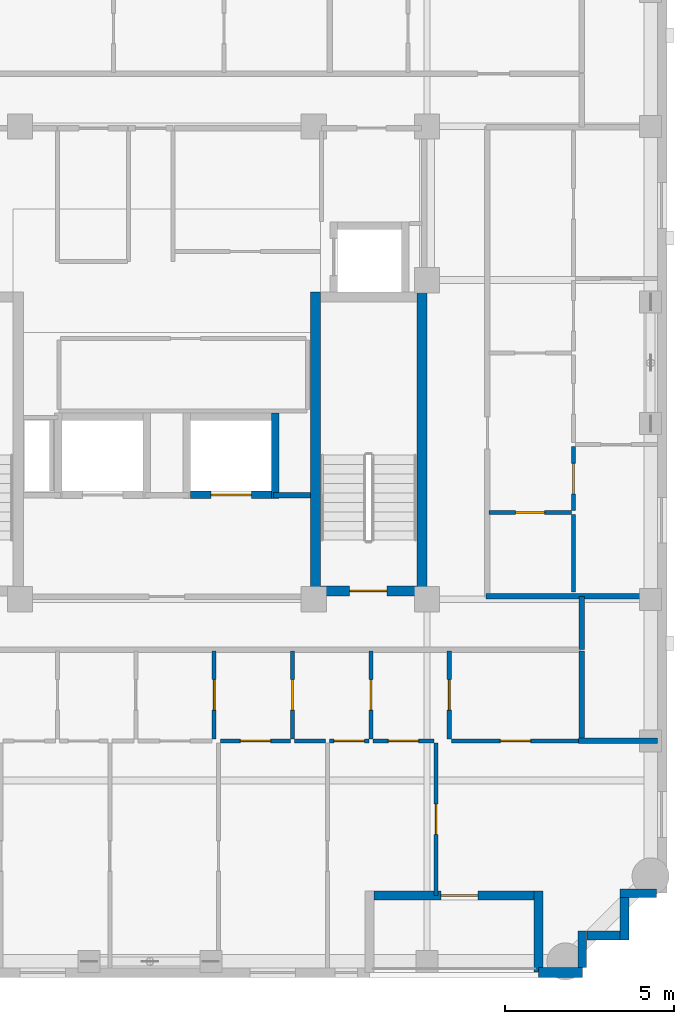
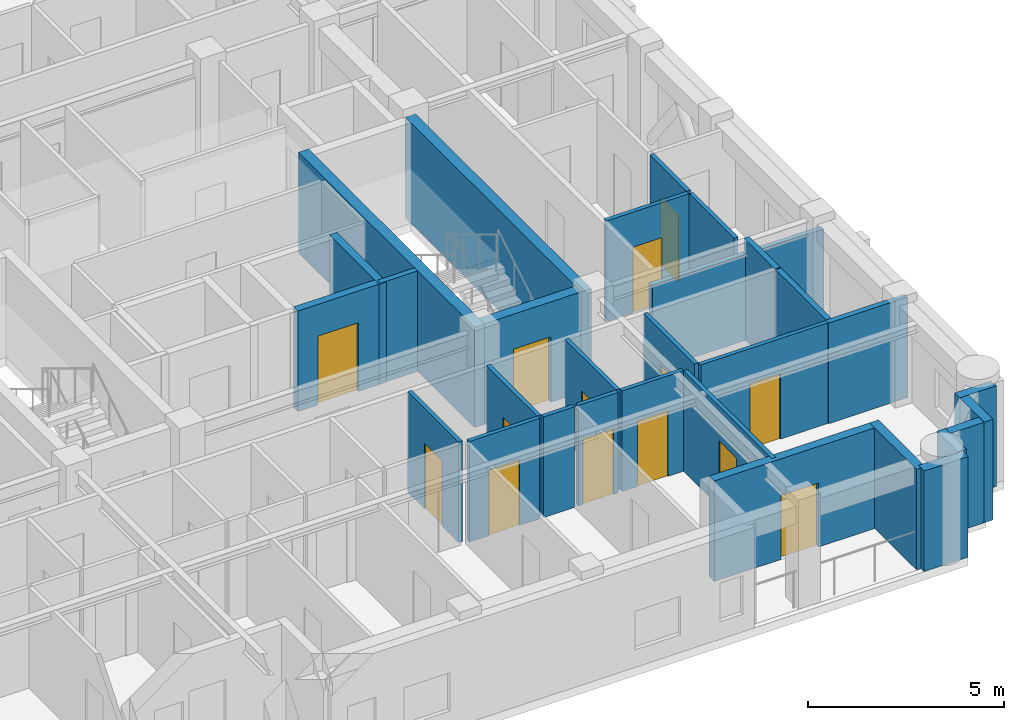
# One storey, part 4 of 11: 30 walls, 14 doors, 14 openings.
"""IFC4 building model written with IfcOpenShell, lengths in metres."""

import ifcopenshell
import ifcopenshell.guid

model = None  # the IFC model being written
_history = None  # IfcOwnerHistory: only IFC2X3 demands one
_inside = {}  # id of a spatial element -> (the spatial element, [elements in it])
_under = {}  # id of a project, library or spatial element -> (it, [spatial elements below it])
_declared = {}  # id of a project -> (the project, [libraries it declares])
_typed = {}  # id of a type object -> (the type object, [elements of that type])
_made_of = {}  # id of a material, layer set ... -> (it, [elements and type objects made of it])


def new_model(schema):
    """Start an empty IFC model of exactly this schema.

    Asked for "IFC4X3", IfcOpenShell would pick the latest addendum, in which some entities
    have other attributes; the version numbers below select the first issue.
    IFC2X3 requires an IfcOwnerHistory on every rooted entity: one is made here for all.
    """
    global model, _history
    if schema == "IFC4X3":
        model = ifcopenshell.file(schema_version=(4, 3, 0, 0))
    else:
        model = ifcopenshell.file(schema=schema)
    _inside.clear()
    _under.clear()
    _declared.clear()
    _typed.clear()
    _made_of.clear()
    _history = None
    if model.schema == "IFC2X3":
        org = make("IfcOrganization", Name="unknown")
        user = make(
            "IfcPersonAndOrganization",
            ThePerson=make("IfcPerson", FamilyName="unknown"),
            TheOrganization=org,
        )
        app = make(
            "IfcApplication",
            ApplicationDeveloper=org,
            Version="unknown",
            ApplicationFullName="unknown",
            ApplicationIdentifier="unknown",
        )
        _history = make(
            "IfcOwnerHistory",
            OwningUser=user,
            OwningApplication=app,
            ChangeAction="ADDED",
            CreationDate=0,
        )
    return model


def make(cls, **values):
    """One entity of the class cls with the attributes given. An attribute that is None is left unset."""
    return model.create_entity(
        cls, **{name: value for name, value in values.items() if value is not None}
    )


def rooted(cls, **values):
    """An entity with a GlobalId (a new one), such as an element, a storey or a relation."""
    return make(cls, GlobalId=ifcopenshell.guid.new(), OwnerHistory=_history, **values)


def si_unit(unit_type, name, prefix=None):
    """IfcSIUnit, for example si_unit("LENGTHUNIT", "METRE", prefix="MILLI")."""
    return make("IfcSIUnit", UnitType=unit_type, Prefix=prefix, Name=name)


def derived_unit(unit_type, elements):
    """IfcDerivedUnit: a product of units, each with its exponent."""
    return make(
        "IfcDerivedUnit",
        Elements=[
            make("IfcDerivedUnitElement", Unit=unit, Exponent=power)
            for unit, power in elements
        ],
        UnitType=unit_type,
    )


def assignment(units):
    """IfcUnitAssignment: the units of a project."""
    return None if units is None else make("IfcUnitAssignment", Units=units)


def point(xyz):
    """IfcCartesianPoint."""
    return None if xyz is None else make("IfcCartesianPoint", Coordinates=xyz)


def direction(xyz):
    """IfcDirection."""
    return None if xyz is None else make("IfcDirection", DirectionRatios=xyz)


def frame(location, z_axis=None, x_axis=None):
    """IfcAxis2Placement3D, a coordinate frame: its origin and axes. An axis left out is left unset."""
    return make(
        "IfcAxis2Placement3D",
        Location=point(location),
        Axis=direction(z_axis),
        RefDirection=direction(x_axis),
    )


def frame_2d(location, x_axis=None):
    """IfcAxis2Placement2D, a coordinate frame in the plane: its origin and x axis."""
    return make(
        "IfcAxis2Placement2D", Location=point(location), RefDirection=direction(x_axis)
    )


def origin():
    """The frame at (0, 0, 0) with its axes left unset."""
    return frame((0.0, 0.0, 0.0))


def place(relative_to, where):
    """IfcLocalPlacement: puts the frame where relative to a parent placement (None: the world)."""
    return make(
        "IfcLocalPlacement", PlacementRelTo=relative_to, RelativePlacement=where
    )


def context(
    kind, dimensions, precision=None, world=None, true_north=None, identifier=None
):
    """IfcGeometricRepresentationContext, for example the 3D "Model" context."""
    return make(
        "IfcGeometricRepresentationContext",
        ContextIdentifier=identifier,
        ContextType=kind,
        CoordinateSpaceDimension=dimensions,
        Precision=precision,
        WorldCoordinateSystem=world,
        TrueNorth=true_north,
    )


def subcontext(parent, identifier, kind, view, scale=None):
    """IfcGeometricRepresentationSubContext, for example "Body" below "Model"."""
    return make(
        "IfcGeometricRepresentationSubContext",
        ContextIdentifier=identifier,
        ContextType=kind,
        ParentContext=parent,
        TargetScale=scale,
        TargetView=view,
    )


def project(units=None, contexts=None):
    """IfcProject with its units and contexts."""
    return rooted(
        "IfcProject",
        Name="project",
        RepresentationContexts=contexts,
        UnitsInContext=assignment(units),
    )


def spatial(cls, under=None, at=None, **own):
    """A site, building, storey or space (cls), placed at a placement, below another one or the project."""
    s = rooted(cls, ObjectPlacement=at, **own)
    if under is not None:
        _under.setdefault(under.id(), (under, []))[1].append(s)
    return s


def profile(cls, at=None, kind="AREA", **sizes):
    """A parametric profile (cls). Its sizes go by their IFC names, for example OverallWidth=200.0."""
    return make(cls, ProfileType=kind, Position=at, **sizes)


def rectangle(**sizes):
    """IfcRectangleProfileDef."""
    return profile("IfcRectangleProfileDef", **sizes)


def extrude(swept, where, along, depth):
    """IfcExtrudedAreaSolid: the profile swept, set in the frame where, extruded along a direction by depth."""
    return make(
        "IfcExtrudedAreaSolid",
        SweptArea=swept,
        Position=where,
        ExtrudedDirection=direction(along),
        Depth=depth,
    )


def shape(context_of_items, identifier, shape_type, items):
    """IfcShapeRepresentation: the items that make up one representation, for example the "Body"."""
    return make(
        "IfcShapeRepresentation",
        ContextOfItems=context_of_items,
        RepresentationIdentifier=identifier,
        RepresentationType=shape_type,
        Items=items,
    )


def material(Name=None, Category=None):
    """IfcMaterial."""
    return make("IfcMaterial", Name=Name, Category=Category)


def layer(
    of_material, thickness, ventilated=None, Name=None, Category=None, Priority=None
):
    """IfcMaterialLayer: one layer of a wall or slab, of a material (None: an air gap)."""
    return make(
        "IfcMaterialLayer",
        Material=of_material,
        LayerThickness=thickness,
        IsVentilated=ventilated,
        Name=Name,
        Category=Category,
        Priority=Priority,
    )


def layer_set(layers, Name=None):
    """IfcMaterialLayerSet."""
    return make("IfcMaterialLayerSet", MaterialLayers=layers, LayerSetName=Name)


def made_of(thing, what):
    """Note that an element or type object is made of a material, layer set ...; save() writes the relation."""
    if what is not None:
        _made_of.setdefault(what.id(), (what, []))[1].append(thing)
    return thing


def type_object(cls, material=None, **own):
    """A type object (cls), such as IfcWallType, which elements share."""
    return made_of(rooted(cls, **own), material)


def element(
    cls,
    number,
    at=None,
    inside=None,
    cuts=None,
    type_object=None,
    material=None,
    context=None,
    identifier="Body",
    shape_type=None,
    held_by="IfcProductDefinitionShape",
    body=None,
    shapes=None,
    **own,
):
    """One element of the class cls, such as IfcWall. Its Tag is "e" and its number.

    at: its placement. inside: the storey or other place that contains it. cuts: it is an
    opening in that element (IfcRelVoidsElement). A single representation is given by context,
    identifier, shape_type and body (its items); several are given by shapes. held_by: the class
    of the entity that holds the representations. save() writes the other relations.
    """
    e = rooted(cls, Tag="e%d" % number, ObjectPlacement=at, **own)
    if body is not None:
        shapes = [shape(context, identifier, shape_type, body)]
    if shapes is not None:
        e.Representation = make(held_by, Representations=shapes)
    if inside is not None:
        _inside.setdefault(inside.id(), (inside, []))[1].append(e)
    if cuts is not None:
        rooted(
            "IfcRelVoidsElement", RelatingBuildingElement=cuts, RelatedOpeningElement=e
        )
    if type_object is not None:
        _typed.setdefault(type_object.id(), (type_object, []))[1].append(e)
    return made_of(e, material)


def fill(opening, filler):
    """IfcRelFillsElement: the door or window that sits in an opening."""
    return rooted(
        "IfcRelFillsElement",
        RelatingOpeningElement=opening,
        RelatedBuildingElement=filler,
    )


def aggregate(whole, parts):
    """IfcRelAggregates: a whole, such as a stair, and the parts it consists of."""
    return rooted("IfcRelAggregates", RelatingObject=whole, RelatedObjects=parts)


def save(model, path):
    """Write the relations noted so far, then the file.

    IfcRelAggregates (storeys below a building ...), IfcRelContainedInSpatialStructure (elements
    in a storey), IfcRelDefinesByType, IfcRelAssociatesMaterial and IfcRelDeclares: one each for
    every whole, place, type object, material and project.
    """
    for whole, parts in _under.values():
        aggregate(whole, parts)
    for where, things in _inside.values():
        rooted(
            "IfcRelContainedInSpatialStructure",
            RelatedElements=things,
            RelatingStructure=where,
        )
    for kind, things in _typed.values():
        rooted("IfcRelDefinesByType", RelatedObjects=things, RelatingType=kind)
    for what, things in _made_of.values():
        rooted("IfcRelAssociatesMaterial", RelatedObjects=things, RelatingMaterial=what)
    for by, libraries in _declared.values():
        rooted("IfcRelDeclares", RelatingContext=by, RelatedDefinitions=libraries)
    model.write(path)


model = new_model("IFC4")

# Units and contexts
model_context = context("Model", 3, precision=1e-05, world=origin(), true_north=direction((0.0, 1.0)))
body_context = subcontext(model_context, "Body", "Model", "MODEL_VIEW")
ifc_project = project(units=[si_unit("LENGTHUNIT", "METRE"), si_unit("AREAUNIT", "SQUARE_METRE"), si_unit("VOLUMEUNIT", "CUBIC_METRE"), si_unit("PLANEANGLEUNIT", "RADIAN"), si_unit("MASSUNIT", "GRAM", prefix="KILO"), derived_unit("THERMALTRANSMITTANCEUNIT", [(si_unit("MASSUNIT", "GRAM", prefix="KILO"), 1), (si_unit("TIMEUNIT", "SECOND"), -3), (si_unit("THERMODYNAMICTEMPERATUREUNIT", "KELVIN"), -1)])], contexts=[model_context])

# Site, building, storey
site_placement = place(None, origin())
site = spatial("IfcSite", under=ifc_project, at=site_placement, CompositionType="ELEMENT")
building_placement = place(site_placement, origin())
building = spatial("IfcBuilding", under=site, at=building_placement, Name="Korrvale Station Residences", CompositionType="ELEMENT")
storey_placement = place(building_placement, frame((0.0, 0.0, 227.5)))
storey = spatial("IfcBuildingStorey", under=building, at=storey_placement, Name="L66", CompositionType="ELEMENT", Elevation=227.5)

# Walls
ifc_material_1 = material(Name="Concrete C50/60", Category="concrete")
ifc_layer_1 = layer(ifc_material_1, 0.300048828125, Name="Concrete C50/60")
ifc_layer_set_1 = layer_set([ifc_layer_1], Name="Concrete C50/60")
wall_type_1 = type_object("IfcWallType", Name="WAL-CORE-300-C50", PredefinedType="SHEAR", material=ifc_layer_set_1)
for number, where, z_axis, x_axis, name in (
    (1, (29.89990234375, 15.10009765625, 0.0), (0.0, 0.0, 1.0), (0.0, 1.0, 0.0), "L66 ST-2 Core Shear Wall West"),
    (2, (33.050048828125, 15.10009765625, 0.0), (0.0, 0.0, 1.0), (0.0, 1.0, 0.0), "L66 ST-2 Core Shear Wall East"),
):
    element("IfcWall", number, at=place(storey_placement, frame(where, z_axis=z_axis, x_axis=x_axis)), inside=storey, type_object=wall_type_1, Name=name, PredefinedType="SHEAR", context=body_context, shape_type="SweptSolid", body=[
        extrude(rectangle(XDim=9.0, YDim=0.300048828125, at=frame_2d((4.5, 0.0))), origin(), (0.0, 0.0, 1.0), 3.139892578125),
    ])

# Wall, opening, door
wall_1_placement = place(storey_placement, frame((30.050048828125, 15.25, 0.0), z_axis=(0.0, 0.0, 1.0), x_axis=(1.0, 0.0, 0.0)))
wall_1 = element("IfcWall", 3, at=wall_1_placement, inside=storey, type_object=wall_type_1, Name="L66 ST-2 Core Shear Wall South", PredefinedType="SHEAR", context=body_context, shape_type="SweptSolid", body=[
    extrude(rectangle(XDim=2.849853515625, YDim=0.300048828125, at=frame_2d((1.4248046875, 0.0))), origin(), (0.0, 0.0, 1.0), 3.139892578125),
])
opening_1_placement = place(wall_1_placement, frame((0.860107421875, 0.0, 0.0)))
opening_1 = element("IfcOpeningElement", 4, at=opening_1_placement, cuts=wall_1, Name="Opening SD-1100", PredefinedType="OPENING", context=body_context, shape_type="SweptSolid", body=[
    extrude(rectangle(XDim=1.10009765625, YDim=2.050048828125, at=frame_2d((0.550048828125, 1.02490234375))), frame((0.0, 0.16015625, 0.0), z_axis=(0.0, -1.0, 0.0), x_axis=(1.0, 0.0, 0.0)), (0.0, 0.0, 1.0), 0.320068359375),
])
ifc_material_2 = material(Name="Hollow-metal fire-rated stair door with closer", Category="steel")
door_type_1 = type_object("IfcDoorType", Name="DR-STAIR-1100", OperationType="NOTDEFINED", PredefinedType="DOOR", material=ifc_material_2)
door_1_placement = place(opening_1_placement, origin())
door_1 = element("IfcDoor", 5, at=door_1_placement, inside=storey, type_object=door_type_1, Name="L66 ST-2 Exit Stair Door", OperationType="SINGLE_SWING_RIGHT", OverallHeight=2.050048828125, OverallWidth=1.10009765625, PredefinedType="DOOR", context=body_context, shape_type="SweptSolid", body=[
    extrude(rectangle(XDim=1.10009765625, YDim=2.050048828125, at=frame_2d((0.550048828125, 1.02490234375))), frame((0.0, 0.02490234375, 0.0), z_axis=(0.0, -1.0, 0.0), x_axis=(1.0, 0.0, 0.0)), (0.0, 0.0, 1.0), 0.050048828125),
])
fill(opening_1, door_1)

# Wall
ifc_material_3 = material(Name="Precast concrete C45/55", Category="concrete")
ifc_layer_2 = layer(ifc_material_3, 0.260009765625, Name="Precast concrete C45/55")
ifc_layer_set_2 = layer_set([ifc_layer_2], Name="Precast concrete C45/55")
wall_type_2 = type_object("IfcWallType", Name="WAL-EXT-LOG260", PredefinedType="SOLIDWALL", material=ifc_layer_set_2)
wall_2_placement = place(storey_placement, frame((36.5, 3.9599609375, 0.0), z_axis=(0.0, 0.0, 1.0), x_axis=(0.0, 1.0, 0.0)))
element("IfcWall", 6, at=wall_2_placement, inside=storey, type_object=wall_type_2, Name="L66 Recessed Loggia Wall BAL-L66-S2-L", PredefinedType="SOLIDWALL", context=body_context, shape_type="SweptSolid", body=[
    extrude(rectangle(XDim=2.400146484375, YDim=0.260009765625, at=frame_2d((1.2001953125, 0.0))), origin(), (0.0, 0.0, 1.0), 3.139892578125),
])

# Wall, opening, door
wall_3_placement = place(storey_placement, frame((36.365966796875, 6.22998046875, 0.0), z_axis=(0.0, 0.0, 1.0), x_axis=(-1.0, 0.0, 0.0)))
wall_3 = element("IfcWall", 7, at=wall_3_placement, inside=storey, type_object=wall_type_2, Name="L66 Recessed Loggia Wall BAL-L66-S2-B", PredefinedType="SOLIDWALL", context=body_context, shape_type="SweptSolid", body=[
    extrude(rectangle(XDim=4.73193359375, YDim=0.260009765625, at=frame_2d((2.365966796875, 0.0))), origin(), (0.0, 0.0, 1.0), 3.139892578125),
])
opening_2_placement = place(wall_3_placement, frame((1.656005859375, 0.0, 0.0)))
opening_2 = element("IfcOpeningElement", 8, at=opening_2_placement, cuts=wall_3, Name="Opening BD-01", PredefinedType="OPENING", context=body_context, shape_type="SweptSolid", body=[
    extrude(rectangle(XDim=1.10009765625, YDim=2.0, at=frame_2d((0.550048828125, 1.0))), frame((0.0, 0.14013671875, 0.0), z_axis=(0.0, -1.0, 0.0), x_axis=(1.0, 0.0, 0.0)), (0.0, 0.0, 1.0), 0.280029296875),
])
ifc_material_4 = material(Name="Exterior thermally broken aluminium glazed balcony door", Category="aluminium")
door_type_2 = type_object("IfcDoorType", Name="DR-EXT-BAL", OperationType="NOTDEFINED", PredefinedType="DOOR", material=ifc_material_4)
door_2_placement = place(opening_2_placement, origin())
door_2 = element("IfcDoor", 9, at=door_2_placement, inside=storey, type_object=door_type_2, Name="L66 Loggia Balcony Door BAL-L66-S2", OperationType="SINGLE_SWING_RIGHT", OverallHeight=2.0, OverallWidth=1.10009765625, PredefinedType="DOOR", context=body_context, shape_type="SweptSolid", body=[
    extrude(rectangle(XDim=1.10009765625, YDim=2.0, at=frame_2d((0.550048828125, 1.0))), frame((0.0, 0.02490234375, 0.0), z_axis=(0.0, -1.0, 0.0), x_axis=(1.0, 0.0, 0.0)), (0.0, 0.0, 1.0), 0.050048828125),
])
fill(opening_2, door_2)

# Walls
wall_4_placement = place(storey_placement, frame((39.998046875, 6.300048828125, 0.0), z_axis=(0.0, 0.0, 1.0), x_axis=(-1.0, 0.0, 0.0)))
element("IfcWall", 10, at=wall_4_placement, inside=storey, type_object=wall_type_2, Name="L66 Serrated Corner Precast Step SE-1", PredefinedType="SOLIDWALL", context=body_context, shape_type="SweptSolid", body=[
    extrude(rectangle(XDim=1.078125, YDim=0.260009765625, at=frame_2d((0.5390625, 0.0))), origin(), (0.0, 0.0, 1.0), 3.139892578125),
])
wall_5_placement = place(storey_placement, frame((39.050048828125, 6.16796875, 0.0), z_axis=(0.0, 0.0, 1.0), x_axis=(0.0, -1.0, 0.0)))
element("IfcWall", 11, at=wall_5_placement, inside=storey, type_object=wall_type_2, Name="L66 Serrated Corner Precast Step SE-2", PredefinedType="SOLIDWALL", context=body_context, shape_type="SweptSolid", body=[
    extrude(rectangle(XDim=1.248046875, YDim=0.260009765625, at=frame_2d((0.6240234375, 0.0))), origin(), (0.0, 0.0, 1.0), 3.139892578125),
])
wall_6_placement = place(storey_placement, frame((38.91796875, 5.050048828125, 0.0), z_axis=(0.0, 0.0, 1.0), x_axis=(-1.0, 0.0, 0.0)))
element("IfcWall", 12, at=wall_6_placement, inside=storey, type_object=wall_type_2, Name="L66 Serrated Corner Precast Step SE-3", PredefinedType="SOLIDWALL", context=body_context, shape_type="SweptSolid", body=[
    extrude(rectangle(XDim=0.986083984375, YDim=0.260009765625, at=frame_2d((0.4931640625, 0.0))), origin(), (0.0, 0.0, 1.0), 3.139892578125),
])
wall_7_placement = place(storey_placement, frame((37.800048828125, 5.179931640625, 0.0), z_axis=(0.0, 0.0, 1.0), x_axis=(0.0, -1.0, 0.0)))
element("IfcWall", 13, at=wall_7_placement, inside=storey, type_object=wall_type_2, Name="L66 Serrated Corner Precast Step SE-4", PredefinedType="SOLIDWALL", context=body_context, shape_type="SweptSolid", body=[
    extrude(rectangle(XDim=1.077880859375, YDim=0.260009765625, at=frame_2d((0.5390625, 0.0))), origin(), (0.0, 0.0, 1.0), 3.139892578125),
])
ifc_layer_3 = layer(ifc_material_3, 0.300048828125, Name="Precast concrete C45/55")
ifc_layer_set_3 = layer_set([ifc_layer_3], Name="Precast concrete C45/55")
wall_type_3 = type_object("IfcWallType", Name="WAL-EXT-PC300", PredefinedType="SOLIDWALL", material=ifc_layer_set_3)
wall_8_placement = place(storey_placement, frame((37.800048828125, 3.949951171875, 0.0), z_axis=(0.0, 0.0, 1.0), x_axis=(-1.0, 0.0, 0.0)))
element("IfcWall", 14, at=wall_8_placement, inside=storey, type_object=wall_type_3, Name="L66 South Exterior Precast Wall 1", PredefinedType="SOLIDWALL", context=body_context, shape_type="SweptSolid", body=[
    extrude(rectangle(XDim=1.300048828125, YDim=0.300048828125, at=frame_2d((0.64990234375, 0.0))), origin(), (0.0, 0.0, 1.0), 3.139892578125),
])

# Wall, opening, door
ifc_material_5 = material(Name="Acoustic steel-stud gypsum board partition", Category="steel")
ifc_layer_4 = layer(ifc_material_5, 0.1201171875, Name="Acoustic steel-stud gypsum board partition")
ifc_layer_set_4 = layer_set([ifc_layer_4], Name="Acoustic steel-stud gypsum board partition")
wall_type_4 = type_object("IfcWallType", Name="WAL-PART-125", PredefinedType="PARTITIONING", material=ifc_layer_set_4)
wall_9_placement = place(storey_placement, frame((26.89990234375, 10.8701171875, 0.0), z_axis=(0.0, 0.0, 1.0), x_axis=(0.0, 1.0, 0.0)))
wall_9 = element("IfcWall", 15, at=wall_9_placement, inside=storey, type_object=wall_type_4, Name="L66 Suite Partition U01-V45", PredefinedType="PARTITIONING", context=body_context, shape_type="SweptSolid", body=[
    extrude(rectangle(XDim=2.599853515625, YDim=0.1201171875, at=frame_2d((1.2998046875, 0.0))), origin(), (0.0, 0.0, 1.0), 3.139892578125),
])
opening_3_placement = place(wall_9_placement, frame((0.85009765625, 0.0, 0.0)))
opening_3 = element("IfcOpeningElement", 16, at=opening_3_placement, cuts=wall_9, Name="Opening DI-900", PredefinedType="OPENING", context=body_context, shape_type="SweptSolid", body=[
    extrude(rectangle(XDim=0.89990234375, YDim=2.050048828125, at=frame_2d((0.449951171875, 1.02490234375))), frame((0.0, 0.070068359375, 0.0), z_axis=(0.0, -1.0, 0.0), x_axis=(1.0, 0.0, 0.0)), (0.0, 0.0, 1.0), 0.14013671875),
])
ifc_material_6 = material(Name="Painted solid-core timber interior room door", Category="wood")
door_type_3 = type_object("IfcDoorType", Name="DR-INT-900", OperationType="NOTDEFINED", PredefinedType="DOOR", material=ifc_material_6)
door_3_placement = place(opening_3_placement, origin())
door_3 = element("IfcDoor", 17, at=door_3_placement, inside=storey, type_object=door_type_3, Name="L66 Studio Apartment L66-U01 Wardrobe Storage Room Door", OperationType="SINGLE_SWING_LEFT", OverallHeight=2.050048828125, OverallWidth=0.89990234375, PredefinedType="DOOR", context=body_context, shape_type="SweptSolid", body=[
    extrude(rectangle(XDim=0.89990234375, YDim=2.050048828125, at=frame_2d((0.449951171875, 1.02490234375))), frame((0.0, 0.02490234375, 0.0), z_axis=(0.0, -1.0, 0.0), x_axis=(1.0, 0.0, 0.0)), (0.0, 0.0, 1.0), 0.050048828125),
])
fill(opening_3, door_3)

wall_10_placement = place(storey_placement, frame((29.219970703125, 10.8701171875, 0.0), z_axis=(0.0, 0.0, 1.0), x_axis=(0.0, 1.0, 0.0)))
wall_10 = element("IfcWall", 18, at=wall_10_placement, inside=storey, type_object=wall_type_4, Name="L66 Suite Partition U01-V56", PredefinedType="PARTITIONING", context=body_context, shape_type="SweptSolid", body=[
    extrude(rectangle(XDim=2.599853515625, YDim=0.1201171875, at=frame_2d((1.2998046875, 0.0))), origin(), (0.0, 0.0, 1.0), 3.139892578125),
])
opening_4_placement = place(wall_10_placement, frame((0.85009765625, 0.0, 0.0)))
opening_4 = element("IfcOpeningElement", 19, at=opening_4_placement, cuts=wall_10, Name="Opening DI-900", PredefinedType="OPENING", context=body_context, shape_type="SweptSolid", body=[
    extrude(rectangle(XDim=0.89990234375, YDim=2.050048828125, at=frame_2d((0.449951171875, 1.02490234375))), frame((0.0, 0.070068359375, 0.0), z_axis=(0.0, -1.0, 0.0), x_axis=(1.0, 0.0, 0.0)), (0.0, 0.0, 1.0), 0.14013671875),
])
door_4_placement = place(opening_4_placement, origin())
door_4 = element("IfcDoor", 20, at=door_4_placement, inside=storey, type_object=door_type_3, Name="L66 Studio Apartment L66-U01 Wardrobe Storage Room Door", OperationType="SINGLE_SWING_LEFT", OverallHeight=2.050048828125, OverallWidth=0.89990234375, PredefinedType="DOOR", context=body_context, shape_type="SweptSolid", body=[
    extrude(rectangle(XDim=0.89990234375, YDim=2.050048828125, at=frame_2d((0.449951171875, 1.02490234375))), frame((0.0, 0.02490234375, 0.0), z_axis=(0.0, -1.0, 0.0), x_axis=(1.0, 0.0, 0.0)), (0.0, 0.0, 1.0), 0.050048828125),
])
fill(opening_4, door_4)

wall_11_placement = place(storey_placement, frame((27.090087890625, 10.81005859375, 0.0), z_axis=(0.0, 0.0, 1.0), x_axis=(1.0, 0.0, 0.0)))
wall_11 = element("IfcWall", 21, at=wall_11_placement, inside=storey, type_object=wall_type_4, Name="L66 Suite Partition U01-H514", PredefinedType="PARTITIONING", context=body_context, shape_type="SweptSolid", body=[
    extrude(rectangle(XDim=2.06982421875, YDim=0.1201171875, at=frame_2d((1.034912109375, 0.0))), origin(), (0.0, 0.0, 1.0), 3.139892578125),
])
opening_5_placement = place(wall_11_placement, frame((0.5849609375, 0.0, 0.0)))
opening_5 = element("IfcOpeningElement", 22, at=opening_5_placement, cuts=wall_11, Name="Opening DI-900", PredefinedType="OPENING", context=body_context, shape_type="SweptSolid", body=[
    extrude(rectangle(XDim=0.89990234375, YDim=2.050048828125, at=frame_2d((0.449951171875, 1.02490234375))), frame((0.0, 0.070068359375, 0.0), z_axis=(0.0, -1.0, 0.0), x_axis=(1.0, 0.0, 0.0)), (0.0, 0.0, 1.0), 0.14013671875),
])
door_5_placement = place(opening_5_placement, origin())
door_5 = element("IfcDoor", 23, at=door_5_placement, inside=storey, type_object=door_type_3, Name="L66 Studio Apartment L66-U01 Wardrobe Storage Room Door", OperationType="SINGLE_SWING_RIGHT", OverallHeight=2.050048828125, OverallWidth=0.89990234375, PredefinedType="DOOR", context=body_context, shape_type="SweptSolid", body=[
    extrude(rectangle(XDim=0.89990234375, YDim=2.050048828125, at=frame_2d((0.449951171875, 1.02490234375))), frame((0.0, 0.02490234375, 0.0), z_axis=(0.0, -1.0, 0.0), x_axis=(1.0, 0.0, 0.0)), (0.0, 0.0, 1.0), 0.050048828125),
])
fill(opening_5, door_5)

wall_12_placement = place(storey_placement, frame((31.5400390625, 10.8701171875, 0.0), z_axis=(0.0, 0.0, 1.0), x_axis=(0.0, 1.0, 0.0)))
wall_12 = element("IfcWall", 24, at=wall_12_placement, inside=storey, type_object=wall_type_4, Name="L66 Suite Partition U01-V67", PredefinedType="PARTITIONING", context=body_context, shape_type="SweptSolid", body=[
    extrude(rectangle(XDim=2.599853515625, YDim=0.1201171875, at=frame_2d((1.2998046875, 0.0))), origin(), (0.0, 0.0, 1.0), 3.139892578125),
])
opening_6_placement = place(wall_12_placement, frame((0.85009765625, 0.0, 0.0)))
opening_6 = element("IfcOpeningElement", 25, at=opening_6_placement, cuts=wall_12, Name="Opening DI-900", PredefinedType="OPENING", context=body_context, shape_type="SweptSolid", body=[
    extrude(rectangle(XDim=0.89990234375, YDim=2.050048828125, at=frame_2d((0.449951171875, 1.02490234375))), frame((0.0, 0.070068359375, 0.0), z_axis=(0.0, -1.0, 0.0), x_axis=(1.0, 0.0, 0.0)), (0.0, 0.0, 1.0), 0.14013671875),
])
door_6_placement = place(opening_6_placement, origin())
door_6 = element("IfcDoor", 26, at=door_6_placement, inside=storey, type_object=door_type_3, Name="L66 Studio Apartment L66-U01 Wardrobe Storage Room Door", OperationType="SINGLE_SWING_LEFT", OverallHeight=2.050048828125, OverallWidth=0.89990234375, PredefinedType="DOOR", context=body_context, shape_type="SweptSolid", body=[
    extrude(rectangle(XDim=0.89990234375, YDim=2.050048828125, at=frame_2d((0.449951171875, 1.02490234375))), frame((0.0, 0.02490234375, 0.0), z_axis=(0.0, -1.0, 0.0), x_axis=(1.0, 0.0, 0.0)), (0.0, 0.0, 1.0), 0.050048828125),
])
fill(opening_6, door_6)

# Wall
wall_13_placement = place(storey_placement, frame((29.280029296875, 10.81005859375, 0.0), z_axis=(0.0, 0.0, 1.0), x_axis=(1.0, 0.0, 0.0)))
element("IfcWall", 27, at=wall_13_placement, inside=storey, type_object=wall_type_4, Name="L66 Suite Partition U01-H614", PredefinedType="PARTITIONING", context=body_context, shape_type="SweptSolid", body=[
    extrude(rectangle(XDim=0.909912109375, YDim=0.1201171875, at=frame_2d((0.455078125, 0.0))), origin(), (0.0, 0.0, 1.0), 3.139892578125),
])

# Wall, opening, door
wall_14_placement = place(storey_placement, frame((30.31005859375, 10.81005859375, 0.0), z_axis=(0.0, 0.0, 1.0), x_axis=(1.0, 0.0, 0.0)))
wall_14 = element("IfcWall", 28, at=wall_14_placement, inside=storey, type_object=wall_type_4, Name="L66 Suite Partition U01-H615", PredefinedType="PARTITIONING", context=body_context, shape_type="SweptSolid", body=[
    extrude(rectangle(XDim=1.169921875, YDim=0.1201171875, at=frame_2d((0.5849609375, 0.0))), origin(), (0.0, 0.0, 1.0), 3.139892578125),
])
opening_7_placement = place(wall_14_placement, frame((0.135009765625, 0.0, 0.0)))
opening_7 = element("IfcOpeningElement", 29, at=opening_7_placement, cuts=wall_14, Name="Opening DI-900", PredefinedType="OPENING", context=body_context, shape_type="SweptSolid", body=[
    extrude(rectangle(XDim=0.89990234375, YDim=2.050048828125, at=frame_2d((0.449951171875, 1.02490234375))), frame((0.0, 0.070068359375, 0.0), z_axis=(0.0, -1.0, 0.0), x_axis=(1.0, 0.0, 0.0)), (0.0, 0.0, 1.0), 0.14013671875),
])
door_7_placement = place(opening_7_placement, origin())
door_7 = element("IfcDoor", 30, at=door_7_placement, inside=storey, type_object=door_type_3, Name="L66 Studio Apartment L66-U01 Wardrobe Storage Room Door", OperationType="SINGLE_SWING_RIGHT", OverallHeight=2.050048828125, OverallWidth=0.89990234375, PredefinedType="DOOR", context=body_context, shape_type="SweptSolid", body=[
    extrude(rectangle(XDim=0.89990234375, YDim=2.050048828125, at=frame_2d((0.449951171875, 1.02490234375))), frame((0.0, 0.02490234375, 0.0), z_axis=(0.0, -1.0, 0.0), x_axis=(1.0, 0.0, 0.0)), (0.0, 0.0, 1.0), 0.050048828125),
])
fill(opening_7, door_7)

wall_15_placement = place(storey_placement, frame((33.860107421875, 10.8701171875, 0.0), z_axis=(0.0, 0.0, 1.0), x_axis=(0.0, 1.0, 0.0)))
wall_15 = element("IfcWall", 31, at=wall_15_placement, inside=storey, type_object=wall_type_4, Name="L66 Suite Partition U01-V78", PredefinedType="PARTITIONING", context=body_context, shape_type="SweptSolid", body=[
    extrude(rectangle(XDim=2.599853515625, YDim=0.1201171875, at=frame_2d((1.2998046875, 0.0))), origin(), (0.0, 0.0, 1.0), 3.139892578125),
])
opening_8_placement = place(wall_15_placement, frame((0.85009765625, 0.0, 0.0)))
opening_8 = element("IfcOpeningElement", 32, at=opening_8_placement, cuts=wall_15, Name="Opening DI-900", PredefinedType="OPENING", context=body_context, shape_type="SweptSolid", body=[
    extrude(rectangle(XDim=0.89990234375, YDim=2.050048828125, at=frame_2d((0.449951171875, 1.02490234375))), frame((0.0, 0.070068359375, 0.0), z_axis=(0.0, -1.0, 0.0), x_axis=(1.0, 0.0, 0.0)), (0.0, 0.0, 1.0), 0.14013671875),
])
door_8_placement = place(opening_8_placement, origin())
door_8 = element("IfcDoor", 33, at=door_8_placement, inside=storey, type_object=door_type_3, Name="L66 Studio Apartment L66-U01 Wardrobe Storage Room Door", OperationType="SINGLE_SWING_LEFT", OverallHeight=2.050048828125, OverallWidth=0.89990234375, PredefinedType="DOOR", context=body_context, shape_type="SweptSolid", body=[
    extrude(rectangle(XDim=0.89990234375, YDim=2.050048828125, at=frame_2d((0.449951171875, 1.02490234375))), frame((0.0, 0.02490234375, 0.0), z_axis=(0.0, -1.0, 0.0), x_axis=(1.0, 0.0, 0.0)), (0.0, 0.0, 1.0), 0.050048828125),
])
fill(opening_8, door_8)

wall_16_placement = place(storey_placement, frame((31.60009765625, 10.81005859375, 0.0), z_axis=(0.0, 0.0, 1.0), x_axis=(1.0, 0.0, 0.0)))
wall_16 = element("IfcWall", 34, at=wall_16_placement, inside=storey, type_object=wall_type_4, Name="L66 Suite Partition U01-H715", PredefinedType="PARTITIONING", context=body_context, shape_type="SweptSolid", body=[
    extrude(rectangle(XDim=1.809814453125, YDim=0.1201171875, at=frame_2d((0.90478515625, 0.0))), origin(), (0.0, 0.0, 1.0), 3.139892578125),
])
opening_9_placement = place(wall_16_placement, frame((0.455078125, 0.0, 0.0)))
opening_9 = element("IfcOpeningElement", 35, at=opening_9_placement, cuts=wall_16, Name="Opening DI-900", PredefinedType="OPENING", context=body_context, shape_type="SweptSolid", body=[
    extrude(rectangle(XDim=0.89990234375, YDim=2.050048828125, at=frame_2d((0.449951171875, 1.02490234375))), frame((0.0, 0.070068359375, 0.0), z_axis=(0.0, -1.0, 0.0), x_axis=(1.0, 0.0, 0.0)), (0.0, 0.0, 1.0), 0.14013671875),
])
door_9_placement = place(opening_9_placement, origin())
door_9 = element("IfcDoor", 36, at=door_9_placement, inside=storey, type_object=door_type_3, Name="L66 Studio Apartment L66-U01 Wardrobe Storage Room Door", OperationType="SINGLE_SWING_RIGHT", OverallHeight=2.050048828125, OverallWidth=0.89990234375, PredefinedType="DOOR", context=body_context, shape_type="SweptSolid", body=[
    extrude(rectangle(XDim=0.89990234375, YDim=2.050048828125, at=frame_2d((0.449951171875, 1.02490234375))), frame((0.0, 0.02490234375, 0.0), z_axis=(0.0, -1.0, 0.0), x_axis=(1.0, 0.0, 0.0)), (0.0, 0.0, 1.0), 0.050048828125),
])
fill(opening_9, door_9)

wall_17_placement = place(storey_placement, frame((33.919921875, 10.81005859375, 0.0), z_axis=(0.0, 0.0, 1.0), x_axis=(1.0, 0.0, 0.0)))
wall_17 = element("IfcWall", 37, at=wall_17_placement, inside=storey, type_object=wall_type_4, Name="L66 Suite Partition U01-H816", PredefinedType="PARTITIONING", context=body_context, shape_type="SweptSolid", body=[
    extrude(rectangle(XDim=3.800048828125, YDim=0.1201171875, at=frame_2d((1.89990234375, 0.0))), origin(), (0.0, 0.0, 1.0), 3.139892578125),
])
opening_10_placement = place(wall_17_placement, frame((1.449951171875, 0.0, 0.0)))
opening_10 = element("IfcOpeningElement", 38, at=opening_10_placement, cuts=wall_17, Name="Opening DI-900", PredefinedType="OPENING", context=body_context, shape_type="SweptSolid", body=[
    extrude(rectangle(XDim=0.89990234375, YDim=2.050048828125, at=frame_2d((0.449951171875, 1.02490234375))), frame((0.0, 0.070068359375, 0.0), z_axis=(0.0, -1.0, 0.0), x_axis=(1.0, 0.0, 0.0)), (0.0, 0.0, 1.0), 0.14013671875),
])
door_10_placement = place(opening_10_placement, origin())
door_10 = element("IfcDoor", 39, at=door_10_placement, inside=storey, type_object=door_type_3, Name="L66 Studio Apartment L66-U01 Utility and Laundry Room Door", OperationType="SINGLE_SWING_LEFT", OverallHeight=2.050048828125, OverallWidth=0.89990234375, PredefinedType="DOOR", context=body_context, shape_type="SweptSolid", body=[
    extrude(rectangle(XDim=0.89990234375, YDim=2.050048828125, at=frame_2d((0.449951171875, 1.02490234375))), frame((0.0, 0.02490234375, 0.0), z_axis=(0.0, -1.0, 0.0), x_axis=(1.0, 0.0, 0.0)), (0.0, 0.0, 1.0), 0.050048828125),
])
fill(opening_10, door_10)

wall_18_placement = place(storey_placement, frame((33.469970703125, 6.22998046875, 0.0), z_axis=(0.0, 0.0, 1.0), x_axis=(0.0, 1.0, 0.0)))
wall_18 = element("IfcWall", 40, at=wall_18_placement, inside=storey, type_object=wall_type_4, Name="L66 Suite Partition U01-V1516", PredefinedType="PARTITIONING", context=body_context, shape_type="SweptSolid", body=[
    extrude(rectangle(XDim=4.52001953125, YDim=0.1201171875, at=frame_2d((2.260009765625, 0.0))), origin(), (0.0, 0.0, 1.0), 3.139892578125),
])
opening_11_placement = place(wall_18_placement, frame((1.81005859375, 0.0, 0.0)))
opening_11 = element("IfcOpeningElement", 41, at=opening_11_placement, cuts=wall_18, Name="Opening DI-900", PredefinedType="OPENING", context=body_context, shape_type="SweptSolid", body=[
    extrude(rectangle(XDim=0.89990234375, YDim=2.050048828125, at=frame_2d((0.449951171875, 1.02490234375))), frame((0.0, 0.070068359375, 0.0), z_axis=(0.0, -1.0, 0.0), x_axis=(1.0, 0.0, 0.0)), (0.0, 0.0, 1.0), 0.14013671875),
])
door_11_placement = place(opening_11_placement, origin())
door_11 = element("IfcDoor", 42, at=door_11_placement, inside=storey, type_object=door_type_3, Name="L66 Studio Apartment L66-U01 Formal Dining Room Door", OperationType="SINGLE_SWING_RIGHT", OverallHeight=2.050048828125, OverallWidth=0.89990234375, PredefinedType="DOOR", context=body_context, shape_type="SweptSolid", body=[
    extrude(rectangle(XDim=0.89990234375, YDim=2.050048828125, at=frame_2d((0.449951171875, 1.02490234375))), frame((0.0, 0.02490234375, 0.0), z_axis=(0.0, -1.0, 0.0), x_axis=(1.0, 0.0, 0.0)), (0.0, 0.0, 1.0), 0.050048828125),
])
fill(opening_11, door_11)

wall_19_placement = place(storey_placement, frame((35.030029296875, 17.570068359375, 0.0), z_axis=(0.0, 0.0, 1.0), x_axis=(1.0, 0.0, 0.0)))
wall_19 = element("IfcWall", 43, at=wall_19_placement, inside=storey, type_object=wall_type_4, Name="L66 Suite Partition U05-H12", PredefinedType="PARTITIONING", context=body_context, shape_type="SweptSolid", body=[
    extrude(rectangle(XDim=2.449951171875, YDim=0.1201171875, at=frame_2d((1.22509765625, 0.0))), origin(), (0.0, 0.0, 1.0), 3.139892578125),
])
opening_12_placement = place(wall_19_placement, frame((0.794921875, 0.0, 0.0)))
opening_12 = element("IfcOpeningElement", 44, at=opening_12_placement, cuts=wall_19, Name="Opening DB-860", PredefinedType="OPENING", context=body_context, shape_type="SweptSolid", body=[
    extrude(rectangle(XDim=0.860107421875, YDim=2.050048828125, at=frame_2d((0.43017578125, 1.02490234375))), frame((0.0, 0.070068359375, 0.0), z_axis=(0.0, -1.0, 0.0), x_axis=(1.0, 0.0, 0.0)), (0.0, 0.0, 1.0), 0.14013671875),
])
ifc_material_7 = material(Name="Moisture-resistant solid-core bathroom door", Category="timber")
door_type_4 = type_object("IfcDoorType", Name="DR-BATH-860", OperationType="NOTDEFINED", PredefinedType="DOOR", material=ifc_material_7)
door_12_placement = place(opening_12_placement, origin())
door_12 = element("IfcDoor", 45, at=door_12_placement, inside=storey, type_object=door_type_4, Name="L66 Apartment 2BR L66-U05 Bathroom Door", OperationType="SINGLE_SWING_RIGHT", OverallHeight=2.050048828125, OverallWidth=0.860107421875, PredefinedType="DOOR", context=body_context, shape_type="SweptSolid", body=[
    extrude(rectangle(XDim=0.860107421875, YDim=2.050048828125, at=frame_2d((0.43017578125, 1.02490234375))), frame((0.0, 0.02490234375, 0.0), z_axis=(0.0, -1.0, 0.0), x_axis=(1.0, 0.0, 0.0)), (0.0, 0.0, 1.0), 0.050048828125),
])
fill(opening_12, door_12)

# Wall
wall_20_placement = place(storey_placement, frame((37.5400390625, 15.2099609375, 0.0), z_axis=(0.0, 0.0, 1.0), x_axis=(0.0, 1.0, 0.0)))
element("IfcWall", 46, at=wall_20_placement, inside=storey, type_object=wall_type_4, Name="L66 Suite Partition U05-V13", PredefinedType="PARTITIONING", context=body_context, shape_type="SweptSolid", body=[
    extrude(rectangle(XDim=2.300048828125, YDim=0.1201171875, at=frame_2d((1.14990234375, 0.0))), origin(), (0.0, 0.0, 1.0), 3.139892578125),
])

# Wall, opening, door
wall_21_placement = place(storey_placement, frame((37.5400390625, 17.6298828125, 0.0), z_axis=(0.0, 0.0, 1.0), x_axis=(0.0, 1.0, 0.0)))
wall_21 = element("IfcWall", 47, at=wall_21_placement, inside=storey, type_object=wall_type_4, Name="L66 Suite Partition U05-V23", PredefinedType="PARTITIONING", context=body_context, shape_type="SweptSolid", body=[
    extrude(rectangle(XDim=1.88818359375, YDim=0.1201171875, at=frame_2d((0.944091796875, 0.0))), origin(), (0.0, 0.0, 1.0), 3.139892578125),
])
opening_13_placement = place(wall_21_placement, frame((0.493896484375, 0.0, 0.0)))
opening_13 = element("IfcOpeningElement", 48, at=opening_13_placement, cuts=wall_21, Name="Opening DI-900", PredefinedType="OPENING", context=body_context, shape_type="SweptSolid", body=[
    extrude(rectangle(XDim=0.89990234375, YDim=2.050048828125, at=frame_2d((0.449951171875, 1.02490234375))), frame((0.0, 0.070068359375, 0.0), z_axis=(0.0, -1.0, 0.0), x_axis=(1.0, 0.0, 0.0)), (0.0, 0.0, 1.0), 0.14013671875),
])
door_13_placement = place(opening_13_placement, origin())
door_13 = element("IfcDoor", 49, at=door_13_placement, inside=storey, type_object=door_type_3, Name="L66 Apartment 2BR L66-U05 Kitchen Door", OperationType="SINGLE_SWING_LEFT", OverallHeight=2.050048828125, OverallWidth=0.89990234375, PredefinedType="DOOR", context=body_context, shape_type="SweptSolid", body=[
    extrude(rectangle(XDim=0.89990234375, YDim=2.050048828125, at=frame_2d((0.449951171875, 1.02490234375))), frame((0.0, 0.02490234375, 0.0), z_axis=(0.0, -1.0, 0.0), x_axis=(1.0, 0.0, 0.0)), (0.0, 0.0, 1.0), 0.050048828125),
])
fill(opening_13, door_13)

# Walls
ifc_material_8 = material(Name="Fire-rated twin-stud gypsum and mineral wool shaftwall assembly", Category="gypsum")
ifc_layer_5 = layer(ifc_material_8, 0.159912109375, Name="Fire-rated twin-stud gypsum and mineral wool shaftwall assembly")
ifc_layer_set_5 = layer_set([ifc_layer_5], Name="Fire-rated twin-stud gypsum and mineral wool shaftwall assembly")
wall_type_5 = type_object("IfcWallType", Name="WAL-PART-200", PredefinedType="PARTITIONING", material=ifc_layer_set_5)
wall_22_placement = place(storey_placement, frame((28.64990234375, 18.080078125, 0.0), z_axis=(0.0, 0.0, 1.0), x_axis=(1.0, 0.0, 0.0)))
element("IfcWall", 50, at=wall_22_placement, inside=storey, type_object=wall_type_5, Name="L66 Core Partition CW-FFL-N3", PredefinedType="PARTITIONING", context=body_context, shape_type="SweptSolid", body=[
    extrude(rectangle(XDim=1.10009765625, YDim=0.159912109375, at=frame_2d((0.550048828125, 0.0))), origin(), (0.0, 0.0, 1.0), 3.139892578125),
])
wall_23_placement = place(storey_placement, frame((37.780029296875, 13.510009765625, 0.0), z_axis=(0.0, 0.0, 1.0), x_axis=(0.0, 1.0, 0.0)))
element("IfcWall", 51, at=wall_23_placement, inside=storey, type_object=wall_type_5, Name="L66 Corridor South East Cap", PredefinedType="PARTITIONING", context=body_context, shape_type="SweptSolid", body=[
    extrude(rectangle(XDim=1.580078125, YDim=0.159912109375, at=frame_2d((0.7900390625, 0.0))), origin(), (0.0, 0.0, 1.0), 3.139892578125),
])
wall_24_placement = place(storey_placement, frame((34.949951171875, 15.090087890625, 0.0), z_axis=(0.0, 0.0, 1.0), x_axis=(1.0, 0.0, 0.0)))
element("IfcWall", 52, at=wall_24_placement, inside=storey, type_object=wall_type_5, Name="L66 East Wing South Corridor Wall", PredefinedType="PARTITIONING", context=body_context, shape_type="SweptSolid", body=[
    extrude(rectangle(XDim=5.070068359375, YDim=0.159912109375, at=frame_2d((2.53515625, 0.0))), origin(), (0.0, 0.0, 1.0), 2.66796875),
])
wall_25_placement = place(storey_placement, frame((37.679931640625, 10.81005859375, 0.0), z_axis=(0.0, 0.0, 1.0), x_axis=(1.0, 0.0, 0.0)))
element("IfcWall", 53, at=wall_25_placement, inside=storey, type_object=wall_type_5, Name="L66 Corner Step Wall U01-R", PredefinedType="PARTITIONING", context=body_context, shape_type="SweptSolid", body=[
    extrude(rectangle(XDim=2.340087890625, YDim=0.159912109375, at=frame_2d((1.169921875, 0.0))), origin(), (0.0, 0.0, 1.0), 3.139892578125),
])
wall_26_placement = place(storey_placement, frame((37.780029296875, 10.81005859375, 0.0), z_axis=(0.0, 0.0, 1.0), x_axis=(0.0, 1.0, 0.0)))
element("IfcWall", 54, at=wall_26_placement, inside=storey, type_object=wall_type_5, Name="L66 Corner Step Cheek U01-R", PredefinedType="PARTITIONING", context=body_context, shape_type="SweptSolid", body=[
    extrude(rectangle(XDim=2.659912109375, YDim=0.159912109375, at=frame_2d((1.330078125, 0.0))), origin(), (0.0, 0.0, 1.0), 3.139892578125),
])

# Wall, opening, door
ifc_layer_6 = layer(ifc_material_1, 0.219970703125, Name="Concrete C50/60")
ifc_layer_set_6 = layer_set([ifc_layer_6], Name="Concrete C50/60")
wall_type_6 = type_object("IfcWallType", Name="WAL-SHAFT-220-C50", PredefinedType="SHEAR", material=ifc_layer_set_6)
wall_27_placement = place(storey_placement, frame((26.199951171875, 18.090087890625, 0.0), z_axis=(0.0, 0.0, 1.0), x_axis=(1.0, 0.0, 0.0)))
wall_27 = element("IfcWall", 55, at=wall_27_placement, inside=storey, type_object=wall_type_6, Name="L66 Elevator FFL-2 Hoistway Wall South", PredefinedType="SHEAR", context=body_context, shape_type="SweptSolid", body=[
    extrude(rectangle(XDim=2.400146484375, YDim=0.219970703125, at=frame_2d((1.2001953125, 0.0))), origin(), (0.0, 0.0, 1.0), 3.139892578125),
])
opening_14_placement = place(wall_27_placement, frame((0.60009765625, 0.0, 0.0)))
opening_14 = element("IfcOpeningElement", 56, at=opening_14_placement, cuts=wall_27, Name="Opening LD-FF1200", PredefinedType="OPENING", context=body_context, shape_type="SweptSolid", body=[
    extrude(rectangle(XDim=1.199951171875, YDim=2.14990234375, at=frame_2d((0.60009765625, 1.074951171875))), frame((0.0, 0.1201171875, 0.0), z_axis=(0.0, -1.0, 0.0), x_axis=(1.0, 0.0, 0.0)), (0.0, 0.0, 1.0), 0.239990234375),
])
ifc_material_9 = material(Name="Stainless-steel firefighter elevator landing sliding door", Category="steel")
door_type_5 = type_object("IfcDoorType", Name="DR-LIFT-FF1200", OperationType="SLIDING_TO_LEFT", PredefinedType="DOOR", material=ifc_material_9)
door_14_placement = place(opening_14_placement, origin())
door_14 = element("IfcDoor", 57, at=door_14_placement, inside=storey, type_object=door_type_5, Name="L66 Elevator FFL-2 Sliding Landing Door", OperationType="SLIDING_TO_LEFT", OverallHeight=2.14990234375, OverallWidth=1.199951171875, PredefinedType="DOOR", context=body_context, shape_type="SweptSolid", body=[
    extrude(rectangle(XDim=1.199951171875, YDim=2.14990234375, at=frame_2d((0.60009765625, 1.074951171875))), frame((0.0, 0.02490234375, 0.0), z_axis=(0.0, -1.0, 0.0), x_axis=(1.0, 0.0, 0.0)), (0.0, 0.0, 1.0), 0.050048828125),
])
fill(opening_14, door_14)

# Wall
wall_28_placement = place(storey_placement, frame((28.7099609375, 17.97998046875, 0.0), z_axis=(0.0, 0.0, 1.0), x_axis=(0.0, 1.0, 0.0)))
element("IfcWall", 58, at=wall_28_placement, inside=storey, type_object=wall_type_6, Name="L66 Elevator FFL-2 Hoistway Wall East", PredefinedType="SHEAR", context=body_context, shape_type="SweptSolid", body=[
    extrude(rectangle(XDim=2.5400390625, YDim=0.219970703125, at=frame_2d((1.27001953125, 0.0))), origin(), (0.0, 0.0, 1.0), 3.139892578125),
])

save(model, "model.ifc")
